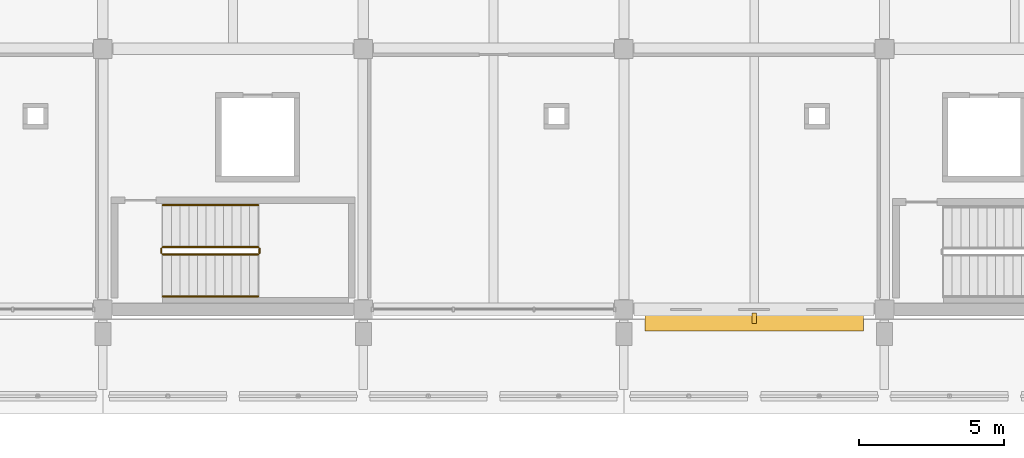
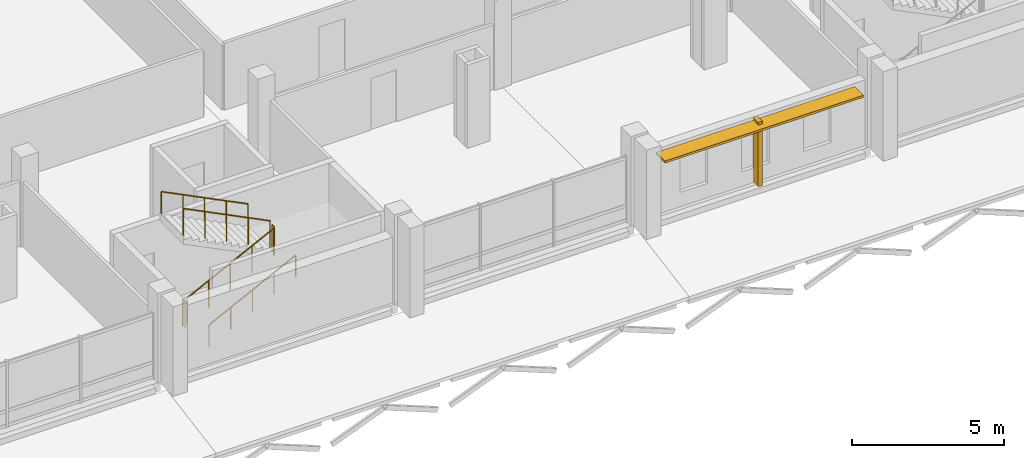
# One storey, part 120 of 132: 6 railings, 2 shading devices.
"""IFC4 building model written with IfcOpenShell, lengths in metres."""

from ifc_helpers import new_model, si_unit, direction, frame, origin, origin_2d, place, context, subcontext, project, spatial, rectangle, circle, extrude, material, layer, layer_set, type_object, element, save


model = new_model("IFC4")

# Units and contexts
model_context = context("Model", 3, precision=1e-05, world=origin(), true_north=direction((0.0, 1.0)))
body_context = subcontext(model_context, "Body", "Model", "MODEL_VIEW")
ifc_project = project(units=[si_unit("LENGTHUNIT", "METRE"), si_unit("AREAUNIT", "SQUARE_METRE"), si_unit("VOLUMEUNIT", "CUBIC_METRE"), si_unit("PLANEANGLEUNIT", "RADIAN"), si_unit("MASSUNIT", "GRAM", prefix="KILO")], contexts=[model_context])

# Site, building, storey
site_placement = place(None, origin())
site = spatial("IfcSite", under=ifc_project, at=site_placement, CompositionType="ELEMENT")
building_placement = place(site_placement, origin())
building = spatial("IfcBuilding", under=site, at=building_placement, Name="Tharagai Park Tramway Depot", CompositionType="ELEMENT")
storey_placement = place(building_placement, frame((0.0, 0.0, 4.800048828125)))
storey = spatial("IfcBuildingStorey", under=building, at=storey_placement, Name="L01", CompositionType="ELEMENT", Elevation=4.800048828125)

# Railings
ifc_material_1 = material(Name="Galvanised steel", Category="steel")
railing_type_1 = type_object("IfcRailingType", Name="HR-02", PredefinedType="GUARDRAIL", material=ifc_material_1)
railing_1_placement = place(storey_placement, frame((38.070068359375, 1.89990234375, 0.14990234375)))
element("IfcRailing", 1, at=railing_1_placement, inside=storey, type_object=railing_type_1, Name="L01 ST-02 stair guard 1", PredefinedType="GUARDRAIL", context=body_context, shape_type="SweptSolid", body=[
    extrude(circle(Radius=0.02392578125, at=origin_2d()), frame((0.0, 0.0, 1.076171875), z_axis=(0.894413956696, 0.0, 0.447240063129), x_axis=(0.0, 1.0, 0.0)), (0.0, 0.0, 1.0), 3.689697265625),
    extrude(circle(Radius=0.02099609375, at=origin_2d()), origin(), (0.0, 0.0, 1.0), 1.052001953125),
    extrude(circle(Radius=0.02099609375, at=origin_2d()), frame((0.824951171875, 0.0, 0.41259765625)), (0.0, 0.0, 1.0), 1.052001953125),
    extrude(circle(Radius=0.02099609375, at=origin_2d()), frame((1.64990234375, 0.0, 0.8251953125)), (0.0, 0.0, 1.0), 1.052001953125),
    extrude(circle(Radius=0.02099609375, at=origin_2d()), frame((2.47509765625, 0.0, 1.237548828125)), (0.0, 0.0, 1.0), 1.052001953125),
    extrude(circle(Radius=0.02099609375, at=origin_2d()), frame((3.300048828125, 0.0, 1.650146484375)), (0.0, 0.0, 1.0), 1.052001953125),
])
railing_2_placement = place(storey_placement, frame((41.419921875, 1.949951171875, 1.800048828125)))
element("IfcRailing", 2, at=railing_2_placement, inside=storey, type_object=railing_type_1, Name="L01 ST-02 stair guard 2", PredefinedType="GUARDRAIL", context=body_context, shape_type="SweptSolid", body=[
    extrude(circle(Radius=0.02392578125, at=origin_2d()), frame((0.0, 0.0, 1.076171875), z_axis=(0.0, 1.0, 0.0), x_axis=(-1.0, 0.0, 0.0)), (0.0, 0.0, 1.0), 0.150146484375),
    extrude(circle(Radius=0.02099609375, at=origin_2d()), origin(), (0.0, 0.0, 1.0), 1.052001953125),
    extrude(circle(Radius=0.02099609375, at=origin_2d()), frame((0.0, 0.150146484375, 0.0)), (0.0, 0.0, 1.0), 1.052001953125),
])
railing_3_placement = place(storey_placement, frame((41.3701171875, 2.14990234375, 1.949951171875)))
element("IfcRailing", 3, at=railing_3_placement, inside=storey, type_object=railing_type_1, Name="L01 ST-02 stair guard 3", PredefinedType="GUARDRAIL", context=body_context, shape_type="SweptSolid", body=[
    extrude(circle(Radius=0.02392578125, at=origin_2d()), frame((0.0, 0.0, 1.076171875), z_axis=(-0.894440424912, 0.0, 0.447187126696), x_axis=(0.0, -1.0, 0.0)), (0.0, 0.0, 1.0), 3.689453125),
    extrude(circle(Radius=0.02099609375, at=origin_2d()), origin(), (0.0, 0.0, 1.0), 1.052001953125),
    extrude(circle(Radius=0.02099609375, at=origin_2d()), frame((-0.824951171875, 0.0, 0.41259765625)), (0.0, 0.0, 1.0), 1.052001953125),
    extrude(circle(Radius=0.02099609375, at=origin_2d()), frame((-1.64990234375, 0.0, 0.824951171875)), (0.0, 0.0, 1.0), 1.052001953125),
    extrude(circle(Radius=0.02099609375, at=origin_2d()), frame((-2.47509765625, 0.0, 1.2373046875)), (0.0, 0.0, 1.0), 1.052001953125),
    extrude(circle(Radius=0.02099609375, at=origin_2d()), frame((-3.300048828125, 0.0, 1.64990234375)), (0.0, 0.0, 1.0), 1.052001953125),
])
railing_4_placement = place(storey_placement, frame((38.02001953125, 1.949951171875, 0.0)))
element("IfcRailing", 4, at=railing_4_placement, inside=storey, type_object=railing_type_1, Name="L01 ST-02 stair guard 4", PredefinedType="GUARDRAIL", context=body_context, shape_type="SweptSolid", body=[
    extrude(circle(Radius=0.02392578125, at=origin_2d()), frame((0.0, 0.0, 1.076171875), z_axis=(0.0, 1.0, 0.0), x_axis=(-1.0, 0.0, 0.0)), (0.0, 0.0, 1.0), 0.150146484375),
    extrude(circle(Radius=0.02099609375, at=origin_2d()), origin(), (0.0, 0.0, 1.0), 1.052001953125),
    extrude(circle(Radius=0.02099609375, at=origin_2d()), frame((0.0, 0.150146484375, 0.0)), (0.0, 0.0, 1.0), 1.052001953125),
])
railing_type_2 = type_object("IfcRailingType", Name="HR-03", PredefinedType="HANDRAIL", material=ifc_material_1)
railing_5_placement = place(storey_placement, frame((38.070068359375, 0.449951171875, 0.14990234375)))
element("IfcRailing", 5, at=railing_5_placement, inside=storey, type_object=railing_type_2, Name="L01 ST-02 stair handrail 1", PredefinedType="HANDRAIL", context=body_context, shape_type="SweptSolid", body=[
    extrude(circle(Radius=0.02392578125, at=origin_2d()), frame((0.0, 0.0, 0.8759765625), z_axis=(0.894413956696, 0.0, 0.447240063129), x_axis=(0.0, 1.0, 0.0)), (0.0, 0.0, 1.0), 3.689697265625),
    extrude(circle(Radius=0.02099609375, at=origin_2d()), origin(), (0.0, 0.0, 1.0), 0.851806640625),
    extrude(circle(Radius=0.02099609375, at=origin_2d()), frame((0.824951171875, 0.0, 0.41259765625)), (0.0, 0.0, 1.0), 0.851806640625),
    extrude(circle(Radius=0.02099609375, at=origin_2d()), frame((1.64990234375, 0.0, 0.8251953125)), (0.0, 0.0, 1.0), 0.851806640625),
    extrude(circle(Radius=0.02099609375, at=origin_2d()), frame((2.47509765625, 0.0, 1.237548828125)), (0.0, 0.0, 1.0), 0.851806640625),
    extrude(circle(Radius=0.02099609375, at=origin_2d()), frame((3.300048828125, 0.0, 1.650146484375)), (0.0, 0.0, 1.0), 0.851806640625),
])
railing_6_placement = place(storey_placement, frame((41.3701171875, 3.60009765625, 1.949951171875)))
element("IfcRailing", 6, at=railing_6_placement, inside=storey, type_object=railing_type_2, Name="L01 ST-02 stair handrail 2", PredefinedType="HANDRAIL", context=body_context, shape_type="SweptSolid", body=[
    extrude(circle(Radius=0.02392578125, at=origin_2d()), frame((0.0, 0.0, 0.8759765625), z_axis=(-0.894440424912, 0.0, 0.447187126696), x_axis=(0.0, -1.0, 0.0)), (0.0, 0.0, 1.0), 3.689453125),
    extrude(circle(Radius=0.02099609375, at=origin_2d()), origin(), (0.0, 0.0, 1.0), 0.851806640625),
    extrude(circle(Radius=0.02099609375, at=origin_2d()), frame((-0.824951171875, 0.0, 0.41259765625)), (0.0, 0.0, 1.0), 0.851806640625),
    extrude(circle(Radius=0.02099609375, at=origin_2d()), frame((-1.64990234375, 0.0, 0.824951171875)), (0.0, 0.0, 1.0), 0.851806640625),
    extrude(circle(Radius=0.02099609375, at=origin_2d()), frame((-2.47509765625, 0.0, 1.2373046875)), (0.0, 0.0, 1.0), 0.851806640625),
    extrude(circle(Radius=0.02099609375, at=origin_2d()), frame((-3.300048828125, 0.0, 1.64990234375)), (0.0, 0.0, 1.0), 0.851806640625),
])

# Shading devices
ifc_material_2 = material(Name="Anodised aluminium", Category="aluminium")
ifc_layer_1 = layer(ifc_material_2, 0.090087890625)
ifc_layer_set_1 = layer_set([ifc_layer_1], Name="Anodised aluminium")
shading_device_type_1 = type_object("IfcShadingDeviceType", Name="SD-01", PredefinedType="SHUTTER", material=ifc_layer_set_1)
shading_device_1_placement = place(storey_placement, frame((58.5, -0.449951171875, 2.4169921875), z_axis=(0.0, 0.0, 1.0), x_axis=(1.0, 0.0, 0.0)))
element("IfcShadingDevice", 7, at=shading_device_1_placement, inside=storey, type_object=shading_device_type_1, Name="Monsoon Storm Louvre Hood SD-01 #3", PredefinedType="SHUTTER", context=body_context, shape_type="SweptSolid", body=[
    extrude(rectangle(XDim=7.553955078125, YDim=0.580078125, at=origin_2d()), origin(), (0.0, 0.0, 1.0), 0.090087890625),
])
ifc_material_3 = material(Name="Charnockite stone", Category="masonry")
ifc_layer_2 = layer(ifc_material_3, 0.159912109375)
ifc_layer_set_2 = layer_set([ifc_layer_2], Name="Charnockite stone")
shading_device_type_2 = type_object("IfcShadingDeviceType", Name="SD-02", PredefinedType="JALOUSIE", material=ifc_layer_set_2)
shading_device_2_placement = place(storey_placement, frame((58.5, -0.31005859375, 0.030029296875), z_axis=(0.0, 0.0, 1.0), x_axis=(1.0, 0.0, 0.0)))
element("IfcShadingDevice", 8, at=shading_device_2_placement, inside=storey, type_object=shading_device_type_2, Name="Charnockite Gothic Lancet Mullion Fin SD-02 #3", PredefinedType="JALOUSIE", context=body_context, shape_type="SweptSolid", body=[
    extrude(rectangle(XDim=0.159912109375, YDim=0.360107421875, at=origin_2d()), origin(), (0.0, 0.0, 1.0), 2.58203125),
])

save(model, "model.ifc")
